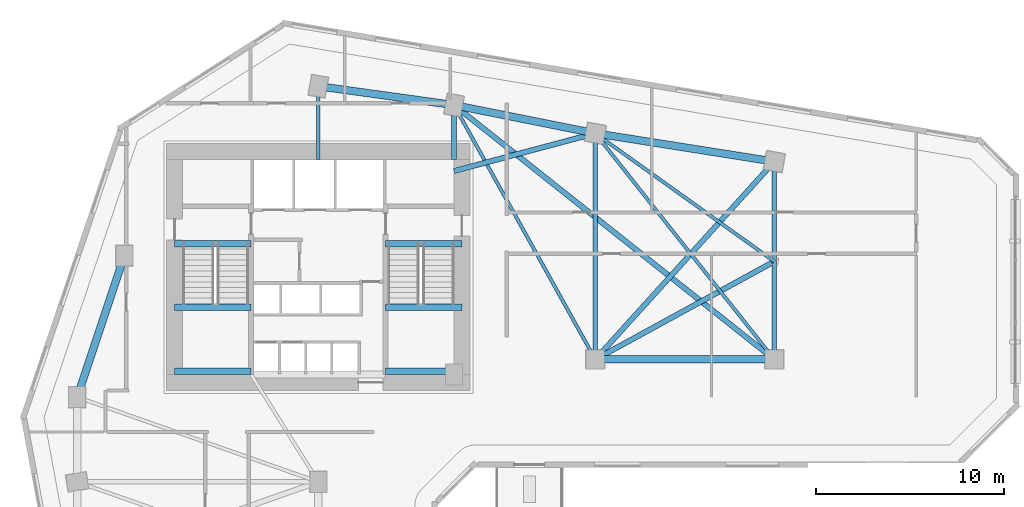
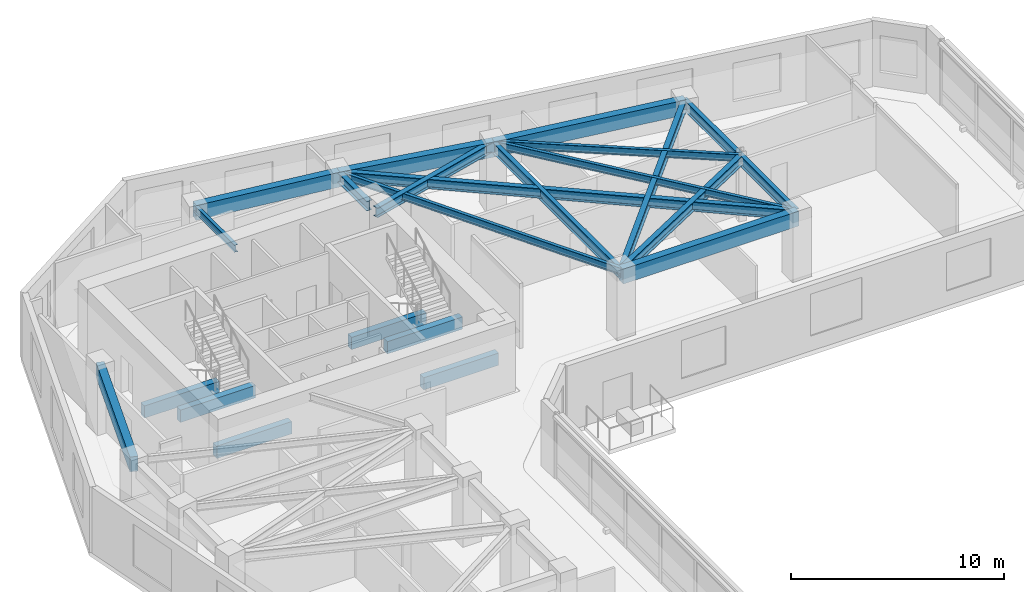
# One storey, part 4 of 12: 22 beams.
"""IFC4 building model written with IfcOpenShell, lengths in metres."""

from ifc_helpers import new_model, si_unit, direction, frame, origin, origin_2d, place, context, subcontext, project, spatial, rectangle, i_section, extrude, source, transform, mapped, material, material_profile, profile_set, type_object, element, save


model = new_model("IFC4")

# Units and contexts
model_context = context("Model", 3, precision=1e-05, world=origin(), true_north=direction((0.0, 1.0)))
body_context = subcontext(model_context, "Body", "Model", "MODEL_VIEW")
ifc_project = project(units=[si_unit("LENGTHUNIT", "METRE"), si_unit("AREAUNIT", "SQUARE_METRE"), si_unit("VOLUMEUNIT", "CUBIC_METRE"), si_unit("PLANEANGLEUNIT", "RADIAN"), si_unit("MASSUNIT", "GRAM", prefix="KILO")], contexts=[model_context])

# Site, building, storey
site_placement = place(None, origin())
site = spatial("IfcSite", under=ifc_project, at=site_placement, CompositionType="ELEMENT")
building_placement = place(site_placement, origin())
building = spatial("IfcBuilding", under=site, at=building_placement, Name="Calvemar Wedge Station Tower", CompositionType="ELEMENT")
storey_placement = place(building_placement, frame((0.0, 0.0, 39.0)))
storey = spatial("IfcBuildingStorey", under=building, at=storey_placement, Name="L09", CompositionType="ELEMENT", Elevation=39.0)

# Beams
ifc_material_1 = material(Name="Concrete C70", Category="concrete")
ifc_material_profile_1 = material_profile(ifc_material_1, rectangle(XDim=0.35009765625, YDim=0.699951171875, at=origin_2d()), Name="RC350x700")
ifc_profile_set_1 = profile_set([ifc_material_profile_1], Name="Concrete C70")
beam_type_1 = type_object("IfcBeamType", Name="BM-LN1-700", PredefinedType="LINTEL", material=ifc_profile_set_1)
shared_shape_1 = source(origin(), body_context, "Body", "SweptSolid", [
    extrude(rectangle(XDim=0.35009765625, YDim=0.699951171875, at=origin_2d()), origin(), (0.0, 0.0, 1.0), 4.054931640625),
])
for number, where, z_axis, x_axis, name in (
    (1, (16.175048828125, 41.14990234375, -0.35009765625), (1.0, 0.0, 0.0), (0.0, 1.0, 0.0), "Storey L09 Stair ST-C1 Landing Trimmer Beam"),
    (2, (27.3701171875, 41.14990234375, -0.35009765625), (1.0, 0.0, 0.0), (0.0, 1.0, 0.0), "Storey L09 Stair ST-C2 Landing Trimmer Beam"),
    (3, (16.175048828125, 34.3798828125, 1.449951171875), (1.0, 0.0, 0.0), (0.0, 1.0, 0.0), "Storey L09 Stair ST-C1 Half-Landing Beam 1A"),
    (4, (16.175048828125, 37.780029296875, 1.449951171875), (1.0, 0.0, 0.0), (0.0, 1.0, 0.0), "Storey L09 Stair ST-C1 Half-Landing Beam 1B"),
    (5, (27.3701171875, 34.3798828125, 1.449951171875), (1.0, 0.0, 0.0), (0.0, 1.0, 0.0), "Storey L09 Stair ST-C2 Half-Landing Beam 1A"),
    (6, (27.3701171875, 37.780029296875, 1.449951171875), (1.0, 0.0, 0.0), (0.0, 1.0, 0.0), "Storey L09 Stair ST-C2 Half-Landing Beam 1B"),
):
    element("IfcBeam", number, at=place(storey_placement, frame(where, z_axis=z_axis, x_axis=x_axis)), inside=storey, type_object=beam_type_1, Name=name, PredefinedType="LINTEL", context=body_context, shape_type="MappedRepresentation", body=[
        mapped(shared_shape_1, transform((0.0, 0.0, 0.0), scale=1.0)),
    ])
ifc_material_2 = material(Name="Concrete C60", Category="concrete")
ifc_material_profile_2 = material_profile(ifc_material_2, rectangle(XDim=0.39990234375, YDim=0.85009765625, at=origin_2d()), Name="RC400x850")
ifc_profile_set_2 = profile_set([ifc_material_profile_2], Name="Concrete C60")
beam_type_2 = type_object("IfcBeamType", Name="BM-SP1-850", PredefinedType="SPANDREL", material=ifc_profile_set_2)
shared_shape_2 = source(origin(), body_context, "Body", "SweptSolid", [
    extrude(rectangle(XDim=0.39990234375, YDim=0.85009765625, at=origin_2d()), origin(), (0.0, 0.0, 1.0), 7.90576171875),
])
beam_1_placement = place(storey_placement, frame((11.0, 33.0, 3.324951171875), z_axis=(0.316227766017, 0.948683298051, 0.0), x_axis=(-0.948683298051, 0.316227766017, 0.0)))
element("IfcBeam", 7, at=beam_1_placement, inside=storey, type_object=beam_type_2, Name="Storey L09 Spandrel T-NW1-T-NW2", PredefinedType="SPANDREL", context=body_context, shape_type="MappedRepresentation", body=[
    mapped(shared_shape_2, transform((0.0, 0.0, 0.0), scale=1.0)),
])
shared_shape_3 = source(origin(), body_context, "Body", "SweptSolid", [
    extrude(rectangle(XDim=0.39990234375, YDim=0.85009765625, at=origin_2d()), origin(), (0.0, 0.0, 1.0), 7.26904296875),
])
beam_2_placement = place(storey_placement, frame((23.800048828125, 49.5, 3.324951171875), z_axis=(0.990492146053, -0.13756928657, 0.0), x_axis=(0.13756928657, 0.990492146053, 0.0)))
element("IfcBeam", 8, at=beam_2_placement, inside=storey, type_object=beam_type_2, Name="Storey L09 Spandrel T-N1-T-N2", PredefinedType="SPANDREL", context=body_context, shape_type="MappedRepresentation", body=[
    mapped(shared_shape_3, transform((0.0, 0.0, 0.0), scale=1.0)),
])
shared_shape_4 = source(origin(), body_context, "Body", "SweptSolid", [
    extrude(rectangle(XDim=0.39990234375, YDim=0.85009765625, at=origin_2d()), origin(), (0.0, 0.0, 1.0), 7.6484375),
])
beam_3_placement = place(storey_placement, frame((31.0, 48.5, 3.324951171875), z_axis=(0.980580675691, -0.196116135138, 0.0), x_axis=(0.196116135138, 0.980580675691, 0.0)))
element("IfcBeam", 9, at=beam_3_placement, inside=storey, type_object=beam_type_2, Name="Storey L09 Spandrel T-N2-T-NU3", PredefinedType="SPANDREL", context=body_context, shape_type="MappedRepresentation", body=[
    mapped(shared_shape_4, transform((0.0, 0.0, 0.0), scale=1.0)),
])
shared_shape_5 = source(origin(), body_context, "Body", "SweptSolid", [
    extrude(rectangle(XDim=0.39990234375, YDim=0.85009765625, at=origin_2d()), origin(), (0.0, 0.0, 1.0), 9.61767578125),
])
beam_4_placement = place(storey_placement, frame((38.5, 47.0, 3.324951171875), z_axis=(0.987762965329, -0.155962573473, 0.0), x_axis=(0.155962573473, 0.987762965329, 0.0)))
element("IfcBeam", 10, at=beam_4_placement, inside=storey, type_object=beam_type_2, Name="Storey L09 Spandrel T-NU3-T-NU4", PredefinedType="SPANDREL", context=body_context, shape_type="MappedRepresentation", body=[
    mapped(shared_shape_5, transform((0.0, 0.0, 0.0), scale=1.0)),
])
shared_shape_6 = source(origin(), body_context, "Body", "SweptSolid", [
    extrude(rectangle(XDim=0.39990234375, YDim=0.85009765625, at=origin_2d()), origin(), (0.0, 0.0, 1.0), 9.5),
])
beam_5_placement = place(storey_placement, frame((38.5, 35.0, 3.324951171875), z_axis=(1.0, 0.0, 0.0), x_axis=(0.0, 1.0, 0.0)))
element("IfcBeam", 11, at=beam_5_placement, inside=storey, type_object=beam_type_2, Name="Storey L09 Spandrel T-NL2-T-NL3", PredefinedType="SPANDREL", context=body_context, shape_type="MappedRepresentation", body=[
    mapped(shared_shape_6, transform((0.0, 0.0, 0.0), scale=1.0)),
])
ifc_material_3 = material(Name="Structural steel ASTM A572 Grade 50", Category="steel")
ifc_material_profile_3 = material_profile(ifc_material_3, i_section(OverallWidth=0.22998046875, OverallDepth=0.616943359375, WebThickness=0.01318359375, FlangeThickness=0.022216796875, FilletRadius=0.012939453125, at=origin_2d()), Name="W610x140")
ifc_profile_set_3 = profile_set([ifc_material_profile_3], Name="Structural steel ASTM A572 Grade 50")
beam_type_3 = type_object("IfcBeamType", Name="BM-SB2-W610", PredefinedType="BEAM", material=ifc_profile_set_3)
shared_shape_7 = source(origin(), body_context, "Body", "SweptSolid", [
    extrude(i_section(OverallWidth=0.22998046875, OverallDepth=0.616943359375, WebThickness=0.01318359375, FlangeThickness=0.022216796875, FilletRadius=0.012939453125, at=origin_2d()), origin(), (0.0, 0.0, 1.0), 12.0),
])
beam_6_placement = place(storey_placement, frame((38.5, 47.0, 3.44140625), z_axis=(0.0, -1.0, 0.0), x_axis=(1.0, 0.0, 0.0)))
element("IfcBeam", 12, at=beam_6_placement, inside=storey, type_object=beam_type_3, Name="Storey L09 Floor Beam T-NU3-T-NL2", PredefinedType="BEAM", context=body_context, shape_type="MappedRepresentation", body=[
    mapped(shared_shape_7, transform((0.0, 0.0, 0.0), scale=1.0)),
])
shared_shape_8 = source(origin(), body_context, "Body", "SweptSolid", [
    extrude(i_section(OverallWidth=0.22998046875, OverallDepth=0.616943359375, WebThickness=0.01318359375, FlangeThickness=0.022216796875, FilletRadius=0.012939453125, at=origin_2d()), origin(), (0.0, 0.0, 1.0), 10.5),
])
beam_7_placement = place(storey_placement, frame((48.0, 45.5, 3.44140625), z_axis=(0.0, -1.0, 0.0), x_axis=(1.0, 0.0, 0.0)))
element("IfcBeam", 13, at=beam_7_placement, inside=storey, type_object=beam_type_3, Name="Storey L09 Floor Beam T-NU4-T-NL3", PredefinedType="BEAM", context=body_context, shape_type="MappedRepresentation", body=[
    mapped(shared_shape_8, transform((0.0, 0.0, 0.0), scale=1.0)),
])
ifc_material_profile_4 = material_profile(ifc_material_3, i_section(OverallWidth=0.177978515625, OverallDepth=0.406982421875, WebThickness=0.0078125, FlangeThickness=0.0126953125, FilletRadius=0.010009765625, at=origin_2d()), Name="W410x60")
ifc_profile_set_4 = profile_set([ifc_material_profile_4], Name="Structural steel ASTM A572 Grade 50")
beam_type_4 = type_object("IfcBeamType", Name="BM-J3-W410", PredefinedType="JOIST", material=ifc_profile_set_4)
shared_shape_9 = source(origin(), body_context, "Body", "SweptSolid", [
    extrude(i_section(OverallWidth=0.177978515625, OverallDepth=0.406982421875, WebThickness=0.0078125, FlangeThickness=0.0126953125, FilletRadius=0.010009765625, at=origin_2d()), origin(), (0.0, 0.0, 1.0), 15.443359375),
])
beam_8_placement = place(storey_placement, frame((31.0, 48.5, 3.54638671875), z_axis=(0.485642931179, -0.874157276122, 0.0), x_axis=(0.874157276122, 0.485642931179, 0.0)))
element("IfcBeam", 14, at=beam_8_placement, inside=storey, type_object=beam_type_4, Name="Storey L09 Floor Beam T-N2-T-NL2", PredefinedType="JOIST", context=body_context, shape_type="MappedRepresentation", body=[
    mapped(shared_shape_9, transform((0.0, 0.0, 0.0), scale=1.0)),
])
ifc_material_profile_5 = material_profile(ifc_material_3, i_section(OverallWidth=0.279052734375, OverallDepth=0.553955078125, WebThickness=0.017578125, FlangeThickness=0.029541015625, FilletRadius=0.014892578125, at=origin_2d()), Name="W530x196")
ifc_profile_set_5 = profile_set([ifc_material_profile_5], Name="Structural steel ASTM A572 Grade 50")
beam_type_5 = type_object("IfcBeamType", Name="BM-SB3-W530H", PredefinedType="BEAM", material=ifc_profile_set_5)
shared_shape_10 = source(origin(), body_context, "Body", "SweptSolid", [
    extrude(i_section(OverallWidth=0.279052734375, OverallDepth=0.553955078125, WebThickness=0.017578125, FlangeThickness=0.029541015625, FilletRadius=0.014892578125, at=origin_2d()), origin(), (0.0, 0.0, 1.0), 21.708251953125),
])
beam_9_placement = place(storey_placement, frame((31.0, 48.5, 3.472900390625), z_axis=(0.783110847498, -0.621882143602, 0.0), x_axis=(0.621882143602, 0.783110847498, 0.0)))
element("IfcBeam", 15, at=beam_9_placement, inside=storey, type_object=beam_type_5, Name="Storey L09 Floor Beam T-N2-T-NL3", PredefinedType="BEAM", context=body_context, shape_type="MappedRepresentation", body=[
    mapped(shared_shape_10, transform((0.0, 0.0, 0.0), scale=1.0)),
])
shared_shape_11 = source(origin(), body_context, "Body", "SweptSolid", [
    extrude(i_section(OverallWidth=0.177978515625, OverallDepth=0.406982421875, WebThickness=0.0078125, FlangeThickness=0.0126953125, FilletRadius=0.010009765625, at=origin_2d()), origin(), (0.0, 0.0, 1.0), 15.30517578125),
])
beam_10_placement = place(storey_placement, frame((38.5, 47.0, 3.54638671875), z_axis=(0.620702944366, -0.784045824462, 0.0), x_axis=(0.784045824462, 0.620702944366, 0.0)))
element("IfcBeam", 16, at=beam_10_placement, inside=storey, type_object=beam_type_4, Name="Storey L09 Floor Beam T-NU3-T-NL3", PredefinedType="JOIST", context=body_context, shape_type="MappedRepresentation", body=[
    mapped(shared_shape_11, transform((0.0, 0.0, 0.0), scale=1.0)),
])
shared_shape_12 = source(origin(), body_context, "Body", "SweptSolid", [
    extrude(i_section(OverallWidth=0.279052734375, OverallDepth=0.553955078125, WebThickness=0.017578125, FlangeThickness=0.029541015625, FilletRadius=0.014892578125, at=origin_2d()), origin(), (0.0, 0.0, 1.0), 14.159912109375),
])
beam_11_placement = place(storey_placement, frame((38.5, 35.0, 3.472900390625), z_axis=(0.670913323969, 0.741535779124, 0.0), x_axis=(-0.741535779124, 0.670913323969, 0.0)))
element("IfcBeam", 17, at=beam_11_placement, inside=storey, type_object=beam_type_5, Name="Storey L09 Floor Beam T-NL2-T-NU4", PredefinedType="BEAM", context=body_context, shape_type="MappedRepresentation", body=[
    mapped(shared_shape_12, transform((0.0, 0.0, 0.0), scale=1.0)),
])
shared_shape_13 = source(origin(), body_context, "Body", "SweptSolid", [
    extrude(i_section(OverallWidth=0.177978515625, OverallDepth=0.406982421875, WebThickness=0.0078125, FlangeThickness=0.0126953125, FilletRadius=0.010009765625, at=origin_2d()), origin(), (0.0, 0.0, 1.0), 11.682861328125),
])
beam_12_placement = place(storey_placement, frame((48.0, 40.199951171875, 3.54638671875), z_axis=(-0.81315274409, 0.582050354161, 0.0), x_axis=(-0.582050354161, -0.81315274409, 0.0)))
element("IfcBeam", 18, at=beam_12_placement, inside=storey, type_object=beam_type_4, Name="Storey L09 Floor Beam T-NTIP-A-T-NU3", PredefinedType="JOIST", context=body_context, shape_type="MappedRepresentation", body=[
    mapped(shared_shape_13, transform((0.0, 0.0, 0.0), scale=1.0)),
])
shared_shape_14 = source(origin(), body_context, "Body", "SweptSolid", [
    extrude(i_section(OverallWidth=0.279052734375, OverallDepth=0.553955078125, WebThickness=0.017578125, FlangeThickness=0.029541015625, FilletRadius=0.014892578125, at=origin_2d()), origin(), (0.0, 0.0, 1.0), 10.830078125),
])
beam_13_placement = place(storey_placement, frame((48.0, 40.199951171875, 3.472900390625), z_axis=(-0.877190767997, -0.480142017053, 0.0), x_axis=(0.480142017053, -0.877190767997, 0.0)))
element("IfcBeam", 19, at=beam_13_placement, inside=storey, type_object=beam_type_5, Name="Storey L09 Floor Beam T-NTIP-A-T-NL2", PredefinedType="BEAM", context=body_context, shape_type="MappedRepresentation", body=[
    mapped(shared_shape_14, transform((0.0, 0.0, 0.0), scale=1.0)),
])
shared_shape_15 = source(origin(), body_context, "Body", "SweptSolid", [
    extrude(i_section(OverallWidth=0.279052734375, OverallDepth=0.553955078125, WebThickness=0.017578125, FlangeThickness=0.029541015625, FilletRadius=0.014892578125, at=origin_2d()), origin(), (0.0, 0.0, 1.0), 7.76220703125),
])
beam_14_placement = place(storey_placement, frame((31.0, 45.0, 3.472900390625), z_axis=(0.966234939601, 0.25766265056, 0.0), x_axis=(-0.25766265056, 0.966234939601, 0.0)))
element("IfcBeam", 20, at=beam_14_placement, inside=storey, type_object=beam_type_5, Name="Storey L09 Core-to-Column Joist CJ-E2", PredefinedType="BEAM", context=body_context, shape_type="MappedRepresentation", body=[
    mapped(shared_shape_15, transform((0.0, 0.0, 0.0), scale=1.0)),
])
shared_shape_16 = source(origin(), body_context, "Body", "SweptSolid", [
    extrude(i_section(OverallWidth=0.177978515625, OverallDepth=0.406982421875, WebThickness=0.0078125, FlangeThickness=0.0126953125, FilletRadius=0.010009765625, at=origin_2d()), origin(), (0.0, 0.0, 1.0), 3.89990234375),
])
beam_15_placement = place(storey_placement, frame((23.800048828125, 45.60009765625, 3.54638671875), z_axis=(0.0, 1.0, 0.0), x_axis=(-1.0, 0.0, 0.0)))
element("IfcBeam", 21, at=beam_15_placement, inside=storey, type_object=beam_type_4, Name="Storey L09 Core-to-Column Joist CJ-N1", PredefinedType="JOIST", context=body_context, shape_type="MappedRepresentation", body=[
    mapped(shared_shape_16, transform((0.0, 0.0, 0.0), scale=1.0)),
])
shared_shape_17 = source(origin(), body_context, "Body", "SweptSolid", [
    extrude(i_section(OverallWidth=0.279052734375, OverallDepth=0.553955078125, WebThickness=0.017578125, FlangeThickness=0.029541015625, FilletRadius=0.014892578125, at=origin_2d()), origin(), (0.0, 0.0, 1.0), 2.89990234375),
])
beam_16_placement = place(storey_placement, frame((31.0, 45.60009765625, 3.472900390625), z_axis=(0.0, 1.0, 0.0), x_axis=(-1.0, 0.0, 0.0)))
element("IfcBeam", 22, at=beam_16_placement, inside=storey, type_object=beam_type_5, Name="Storey L09 Core-to-Column Joist CJ-N2", PredefinedType="BEAM", context=body_context, shape_type="MappedRepresentation", body=[
    mapped(shared_shape_17, transform((0.0, 0.0, 0.0), scale=1.0)),
])

save(model, "model.ifc")
